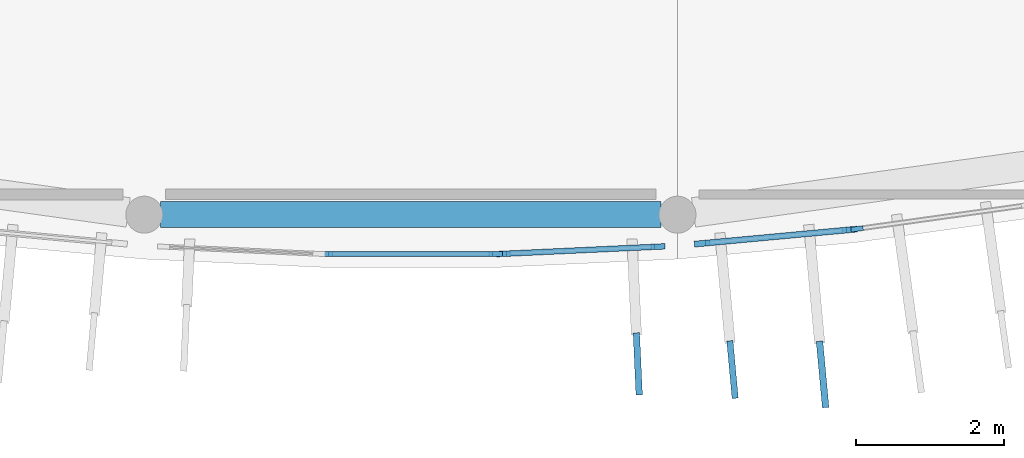
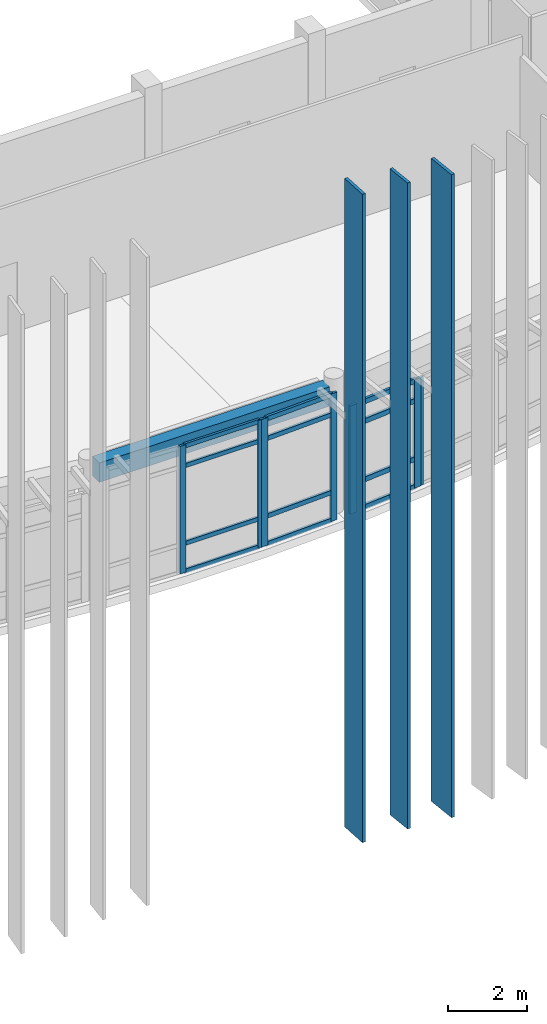
# One storey, part 7 of 47: 22 members, 1 beam, 4 elements without a shape of their own.
"""IFC4 building model written with IfcOpenShell, lengths in metres."""

from ifc_helpers import new_model, si_unit, direction, frame, origin, origin_2d, place, context, subcontext, project, spatial, rectangle, extrude, material, layer, layer_set, material_profile, profile_set, type_object, element, aggregate, save


model = new_model("IFC4")

# Units and contexts
model_context = context("Model", 3, precision=1e-05, world=origin(), true_north=direction((0.0, 1.0)))
body_context = subcontext(model_context, "Body", "Model", "MODEL_VIEW")
ifc_project = project(units=[si_unit("LENGTHUNIT", "METRE"), si_unit("AREAUNIT", "SQUARE_METRE"), si_unit("VOLUMEUNIT", "CUBIC_METRE"), si_unit("PLANEANGLEUNIT", "RADIAN"), si_unit("MASSUNIT", "GRAM", prefix="KILO")], contexts=[model_context])

# Site, building, storey
site_placement = place(None, origin())
site = spatial("IfcSite", under=ifc_project, at=site_placement, CompositionType="ELEMENT")
building_placement = place(site_placement, origin())
building = spatial("IfcBuilding", under=site, at=building_placement, Name="Brisavento Harbour Community Centre", CompositionType="ELEMENT")
storey_placement = place(building_placement, frame((0.0, 0.0, 8.699951171875)))
storey = spatial("IfcBuildingStorey", under=building, at=storey_placement, Name="L02", CompositionType="ELEMENT", Elevation=8.699951171875)

# Beam
ifc_material_1 = material(Name="Concrete C35/45", Category="concrete")
ifc_material_profile_1 = material_profile(ifc_material_1, rectangle(XDim=0.35009765625, YDim=0.60009765625, at=origin_2d()), Name="Concrete C35/45")
ifc_profile_set_1 = profile_set([ifc_material_profile_1], Name="Concrete C35/45")
beam_type = type_object("IfcBeamType", Name="BM-RC-350x600", PredefinedType="BEAM", material=ifc_profile_set_1)
beam_placement = place(storey_placement, frame((21.820068359375, 0.724853515625, 3.66015625), z_axis=(1.0, 0.0, 0.0), x_axis=(0.0, 1.0, 0.0)))
element("IfcBeam", 1, at=beam_placement, inside=storey, type_object=beam_type, Name="L02 primary girder X0544", PredefinedType="BEAM", context=body_context, shape_type="SweptSolid", body=[
    extrude(rectangle(XDim=0.35009765625, YDim=0.60009765625, at=origin_2d()), origin(), (0.0, 0.0, 1.0), 6.760009765625),
])

# Curtain wall, member
ifc_material_2 = material(Name="Marine-anodised aluminium AW-6063-T6", Category="aluminium")
ifc_layer_1 = layer(ifc_material_2, 0.179931640625, Name="Marine-anodised aluminium AW-6063-T6")
ifc_layer_set_1 = layer_set([ifc_layer_1], Name="Marine-anodised aluminium AW-6063-T6")
curtain_wall_type_1 = type_object("IfcCurtainWallType", Name="CW-SYS-21", PredefinedType="USERDEFINED", material=ifc_layer_set_1)
curtain_wall_1_placement = place(storey_placement, origin())
curtain_wall_1 = element("IfcCurtainWall", 2, at=curtain_wall_1_placement, inside=storey, type_object=curtain_wall_type_1, Name="L02 V1 unitised curtain wall 105", ObjectType="UNITISED CURTAIN WALL", PredefinedType="USERDEFINED")
ifc_material_profile_2 = material_profile(ifc_material_2, rectangle(XDim=0.06494140625, YDim=0.1650390625, at=origin_2d()), Name="Marine-anodised aluminium AW-6063-T6")
ifc_profile_set_2 = profile_set([ifc_material_profile_2], Name="Marine-anodised aluminium AW-6063-T6")
member_type_1 = type_object("IfcMemberType", Name="CWM-01", PredefinedType="MULLION", material=ifc_profile_set_2)
member_1_placement = place(storey_placement, frame((31.22509765625, 0.53271484375, 0.0), z_axis=(0.0, 0.0, 1.0), x_axis=(0.138476944024, -0.990365657711, 0.0)))
member_1 = element("IfcMember", 3, at=member_1_placement, type_object=member_type_1, Name="CW-21 mullion 2", PredefinedType="MULLION", context=body_context, shape_type="SweptSolid", body=[
    extrude(rectangle(XDim=0.06494140625, YDim=0.1650390625, at=origin_2d()), origin(), (0.0, 0.0, 1.0), 3.360107421875),
])
aggregate(curtain_wall_1, [member_1])

# Curtain wall, members
ifc_layer_2 = layer(ifc_material_2, 0.179931640625, Name="Marine-anodised aluminium AW-6063-T6")
ifc_layer_set_2 = layer_set([ifc_layer_2], Name="Marine-anodised aluminium AW-6063-T6")
curtain_wall_type_2 = type_object("IfcCurtainWallType", Name="CW-SYS-18", PredefinedType="USERDEFINED", material=ifc_layer_set_2)
curtain_wall_2_placement = place(storey_placement, origin())
curtain_wall_2 = element("IfcCurtainWall", 4, at=curtain_wall_2_placement, inside=storey, type_object=curtain_wall_type_2, Name="L02 V1 unitised curtain wall 102", ObjectType="UNITISED CURTAIN WALL", PredefinedType="USERDEFINED")
ifc_material_profile_3 = material_profile(ifc_material_2, rectangle(XDim=0.070068359375, YDim=0.179931640625, at=origin_2d()), Name="Marine-anodised aluminium AW-6063-T6")
ifc_profile_set_3 = profile_set([ifc_material_profile_3], Name="Marine-anodised aluminium AW-6063-T6")
member_type_2 = type_object("IfcMemberType", Name="CWM-02", PredefinedType="MULLION", material=ifc_profile_set_3)
member_2_placement = place(storey_placement, frame((26.346923828125, 0.19384765625, 0.0), z_axis=(0.0, 0.0, 1.0), x_axis=(0.0, -1.0, 0.0)))
member_2 = element("IfcMember", 5, at=member_2_placement, type_object=member_type_2, Name="CW-18 mullion 1", PredefinedType="MULLION", context=body_context, shape_type="SweptSolid", body=[
    extrude(rectangle(XDim=0.070068359375, YDim=0.179931640625, at=origin_2d()), origin(), (0.0, 0.0, 1.0), 3.9599609375),
])
member_3_placement = place(storey_placement, frame((24.052978515625, 0.19384765625, 0.0), z_axis=(0.0, 0.0, 1.0), x_axis=(0.0, -1.0, 0.0)))
member_3 = element("IfcMember", 6, at=member_3_placement, type_object=member_type_2, Name="CW-18 mullion 2", PredefinedType="MULLION", context=body_context, shape_type="SweptSolid", body=[
    extrude(rectangle(XDim=0.070068359375, YDim=0.179931640625, at=origin_2d()), origin(), (0.0, 0.0, 1.0), 3.9599609375),
])

ifc_layer_3 = layer(ifc_material_2, 0.179931640625, Name="Marine-anodised aluminium AW-6063-T6")
ifc_layer_set_3 = layer_set([ifc_layer_3], Name="Marine-anodised aluminium AW-6063-T6")
curtain_wall_type_3 = type_object("IfcCurtainWallType", Name="CW-SYS-19", PredefinedType="USERDEFINED", material=ifc_layer_set_3)
curtain_wall_3_placement = place(storey_placement, origin())
curtain_wall_3 = element("IfcCurtainWall", 7, at=curtain_wall_3_placement, inside=storey, type_object=curtain_wall_type_3, Name="L02 V1 unitised curtain wall 103", ObjectType="UNITISED CURTAIN WALL", PredefinedType="USERDEFINED")
ifc_material_profile_4 = material_profile(ifc_material_2, rectangle(XDim=0.074951171875, YDim=0.18994140625, at=origin_2d()), Name="Marine-anodised aluminium AW-6063-T6")
ifc_profile_set_4 = profile_set([ifc_material_profile_4], Name="Marine-anodised aluminium AW-6063-T6")
member_type_3 = type_object("IfcMemberType", Name="CWM-03", PredefinedType="MULLION", material=ifc_profile_set_4)
member_4_placement = place(storey_placement, frame((28.535888671875, 0.292724609375, 0.0), z_axis=(0.0, 0.0, 1.0), x_axis=(0.046167846582, -0.998933696469, 0.0)))
member_4 = element("IfcMember", 8, at=member_4_placement, type_object=member_type_3, Name="CW-19 mullion 1", PredefinedType="MULLION", context=body_context, shape_type="SweptSolid", body=[
    extrude(rectangle(XDim=0.074951171875, YDim=0.18994140625, at=origin_2d()), origin(), (0.0, 0.0, 1.0), 3.9599609375),
])
member_5_placement = place(storey_placement, frame((26.447265625, 0.1962890625, 0.0), z_axis=(0.0, 0.0, 1.0), x_axis=(0.046167846582, -0.998933696469, 0.0)))
member_5 = element("IfcMember", 9, at=member_5_placement, type_object=member_type_3, Name="CW-19 mullion 2", PredefinedType="MULLION", context=body_context, shape_type="SweptSolid", body=[
    extrude(rectangle(XDim=0.074951171875, YDim=0.18994140625, at=origin_2d()), origin(), (0.0, 0.0, 1.0), 3.9599609375),
])

ifc_layer_4 = layer(ifc_material_2, 0.179931640625, Name="Marine-anodised aluminium AW-6063-T6")
ifc_layer_set_4 = layer_set([ifc_layer_4], Name="Marine-anodised aluminium AW-6063-T6")
curtain_wall_type_4 = type_object("IfcCurtainWallType", Name="CW-SYS-20", PredefinedType="USERDEFINED", material=ifc_layer_set_4)
curtain_wall_4_placement = place(storey_placement, origin())
curtain_wall_4 = element("IfcCurtainWall", 10, at=curtain_wall_4_placement, inside=storey, type_object=curtain_wall_type_4, Name="L02 V1 unitised curtain wall 104", ObjectType="UNITISED CURTAIN WALL", PredefinedType="USERDEFINED")
ifc_material_profile_5 = material_profile(ifc_material_2, rectangle(XDim=0.080078125, YDim=0.2099609375, at=origin_2d()), Name="Marine-anodised aluminium AW-6063-T6")
ifc_profile_set_5 = profile_set([ifc_material_profile_5], Name="Marine-anodised aluminium AW-6063-T6")
member_type_4 = type_object("IfcMemberType", Name="CWM-04", PredefinedType="MULLION", material=ifc_profile_set_5)
member_6_placement = place(storey_placement, frame((31.125732421875, 0.52099609375, 0.0), z_axis=(0.0, 0.0, 1.0), x_axis=(0.092260886159, -0.99573486877, 0.0)))
member_6 = element("IfcMember", 11, at=member_6_placement, type_object=member_type_4, Name="CW-20 mullion 1", PredefinedType="MULLION", context=body_context, shape_type="SweptSolid", body=[
    extrude(rectangle(XDim=0.080078125, YDim=0.2099609375, at=origin_2d()), origin(), (0.0, 0.0, 1.0), 3.360107421875),
])
member_7_placement = place(storey_placement, frame((29.13427734375, 0.336669921875, 0.0), z_axis=(0.0, 0.0, 1.0), x_axis=(0.092260886159, -0.99573486877, 0.0)))
member_7 = element("IfcMember", 12, at=member_7_placement, type_object=member_type_4, Name="CW-20 mullion 2", PredefinedType="MULLION", context=body_context, shape_type="SweptSolid", body=[
    extrude(rectangle(XDim=0.080078125, YDim=0.2099609375, at=origin_2d()), origin(), (0.0, 0.0, 1.0), 3.360107421875),
])

# Member
ifc_material_profile_6 = material_profile(ifc_material_2, rectangle(XDim=0.070068359375, YDim=0.132080078125, at=origin_2d()), Name="Marine-anodised aluminium AW-6063-T6")
ifc_profile_set_6 = profile_set([ifc_material_profile_6], Name="Marine-anodised aluminium AW-6063-T6")
member_type_5 = type_object("IfcMemberType", Name="CWT-02", PredefinedType="USERDEFINED", material=ifc_profile_set_6)
member_8_placement = place(storey_placement, frame((26.31201171875, 0.19384765625, 0.03515625), z_axis=(-1.0, 0.0, 0.0), x_axis=(0.0, -1.0, 0.0)))
member_8 = element("IfcMember", 13, at=member_8_placement, type_object=member_type_5, Name="CW-18 transom 1.1", ObjectType="TRANSOM", PredefinedType="USERDEFINED", context=body_context, shape_type="SweptSolid", body=[
    extrude(rectangle(XDim=0.070068359375, YDim=0.132080078125, at=origin_2d()), origin(), (0.0, 0.0, 1.0), 2.22412109375),
])

member_9_placement = place(storey_placement, frame((26.31201171875, 0.19384765625, 0.900146484375), z_axis=(-1.0, 0.0, 0.0), x_axis=(0.0, -1.0, 0.0)))
member_9 = element("IfcMember", 14, at=member_9_placement, type_object=member_type_5, Name="CW-18 transom 1.2", ObjectType="TRANSOM", PredefinedType="USERDEFINED", context=body_context, shape_type="SweptSolid", body=[
    extrude(rectangle(XDim=0.070068359375, YDim=0.132080078125, at=origin_2d()), origin(), (0.0, 0.0, 1.0), 2.22412109375),
])

member_10_placement = place(storey_placement, frame((26.31201171875, 0.19384765625, 3.31005859375), z_axis=(-1.0, 0.0, 0.0), x_axis=(0.0, -1.0, 0.0)))
member_10 = element("IfcMember", 15, at=member_10_placement, type_object=member_type_5, Name="CW-18 transom 1.3", ObjectType="TRANSOM", PredefinedType="USERDEFINED", context=body_context, shape_type="SweptSolid", body=[
    extrude(rectangle(XDim=0.070068359375, YDim=0.132080078125, at=origin_2d()), origin(), (0.0, 0.0, 1.0), 2.22412109375),
])

member_11_placement = place(storey_placement, frame((26.31201171875, 0.19384765625, 3.925048828125), z_axis=(-1.0, 0.0, 0.0), x_axis=(0.0, -1.0, 0.0)))
member_11 = element("IfcMember", 16, at=member_11_placement, type_object=member_type_5, Name="CW-18 transom 1.4", ObjectType="TRANSOM", PredefinedType="USERDEFINED", context=body_context, shape_type="SweptSolid", body=[
    extrude(rectangle(XDim=0.070068359375, YDim=0.132080078125, at=origin_2d()), origin(), (0.0, 0.0, 1.0), 2.22412109375),
])

aggregate(curtain_wall_2, [member_2, member_3, member_8, member_9, member_10, member_11])

ifc_material_profile_7 = material_profile(ifc_material_2, rectangle(XDim=0.074951171875, YDim=0.139892578125, at=origin_2d()), Name="Marine-anodised aluminium AW-6063-T6")
ifc_profile_set_7 = profile_set([ifc_material_profile_7], Name="Marine-anodised aluminium AW-6063-T6")
member_type_6 = type_object("IfcMemberType", Name="CWT-03", PredefinedType="USERDEFINED", material=ifc_profile_set_7)
member_12_placement = place(storey_placement, frame((28.49853515625, 0.291015625, 0.03759765625), z_axis=(-0.99893506482, -0.046138230052, 0.0), x_axis=(0.046138230052, -0.99893506482, 0.0)))
member_12 = element("IfcMember", 17, at=member_12_placement, type_object=member_type_6, Name="CW-19 transom 1.1", ObjectType="TRANSOM", PredefinedType="USERDEFINED", context=body_context, shape_type="SweptSolid", body=[
    extrude(rectangle(XDim=0.074951171875, YDim=0.139892578125, at=origin_2d()), origin(), (0.0, 0.0, 1.0), 2.01611328125),
])

member_13_placement = place(storey_placement, frame((28.49853515625, 0.291015625, 0.900146484375), z_axis=(-0.99893506482, -0.046138230052, 0.0), x_axis=(0.046138230052, -0.99893506482, 0.0)))
member_13 = element("IfcMember", 18, at=member_13_placement, type_object=member_type_6, Name="CW-19 transom 1.2", ObjectType="TRANSOM", PredefinedType="USERDEFINED", context=body_context, shape_type="SweptSolid", body=[
    extrude(rectangle(XDim=0.074951171875, YDim=0.139892578125, at=origin_2d()), origin(), (0.0, 0.0, 1.0), 2.01611328125),
])

member_14_placement = place(storey_placement, frame((28.49853515625, 0.291015625, 3.31005859375), z_axis=(-0.99893506482, -0.046138230052, 0.0), x_axis=(0.046138230052, -0.99893506482, 0.0)))
member_14 = element("IfcMember", 19, at=member_14_placement, type_object=member_type_6, Name="CW-19 transom 1.3", ObjectType="TRANSOM", PredefinedType="USERDEFINED", context=body_context, shape_type="SweptSolid", body=[
    extrude(rectangle(XDim=0.074951171875, YDim=0.139892578125, at=origin_2d()), origin(), (0.0, 0.0, 1.0), 2.01611328125),
])

member_15_placement = place(storey_placement, frame((28.49853515625, 0.291015625, 3.922607421875), z_axis=(-0.99893506482, -0.046138230052, 0.0), x_axis=(0.046138230052, -0.99893506482, 0.0)))
member_15 = element("IfcMember", 20, at=member_15_placement, type_object=member_type_6, Name="CW-19 transom 1.4", ObjectType="TRANSOM", PredefinedType="USERDEFINED", context=body_context, shape_type="SweptSolid", body=[
    extrude(rectangle(XDim=0.074951171875, YDim=0.139892578125, at=origin_2d()), origin(), (0.0, 0.0, 1.0), 2.01611328125),
])

aggregate(curtain_wall_3, [member_4, member_5, member_12, member_13, member_14, member_15])

ifc_material_profile_8 = material_profile(ifc_material_2, rectangle(XDim=0.080078125, YDim=0.155029296875, at=origin_2d()), Name="Marine-anodised aluminium AW-6063-T6")
ifc_profile_set_8 = profile_set([ifc_material_profile_8], Name="Marine-anodised aluminium AW-6063-T6")
member_type_7 = type_object("IfcMemberType", Name="CWT-04", PredefinedType="USERDEFINED", material=ifc_profile_set_8)
member_16_placement = place(storey_placement, frame((31.0859375, 0.517333984375, 0.0400390625), z_axis=(-0.99574175486, -0.092186537131, 0.0), x_axis=(0.092186537131, -0.99574175486, 0.0)))
member_16 = element("IfcMember", 21, at=member_16_placement, type_object=member_type_7, Name="CW-20 transom 1.1", ObjectType="TRANSOM", PredefinedType="USERDEFINED", context=body_context, shape_type="SweptSolid", body=[
    extrude(rectangle(XDim=0.080078125, YDim=0.155029296875, at=origin_2d()), origin(), (0.0, 0.0, 1.0), 1.919921875),
])

member_17_placement = place(storey_placement, frame((31.0859375, 0.517333984375, 0.900146484375), z_axis=(-0.99574175486, -0.092186537131, 0.0), x_axis=(0.092186537131, -0.99574175486, 0.0)))
member_17 = element("IfcMember", 22, at=member_17_placement, type_object=member_type_7, Name="CW-20 transom 1.2", ObjectType="TRANSOM", PredefinedType="USERDEFINED", context=body_context, shape_type="SweptSolid", body=[
    extrude(rectangle(XDim=0.080078125, YDim=0.155029296875, at=origin_2d()), origin(), (0.0, 0.0, 1.0), 1.919921875),
])

member_18_placement = place(storey_placement, frame((31.0859375, 0.517333984375, 2.7099609375), z_axis=(-0.99574175486, -0.092186537131, 0.0), x_axis=(0.092186537131, -0.99574175486, 0.0)))
member_18 = element("IfcMember", 23, at=member_18_placement, type_object=member_type_7, Name="CW-20 transom 1.3", ObjectType="TRANSOM", PredefinedType="USERDEFINED", context=body_context, shape_type="SweptSolid", body=[
    extrude(rectangle(XDim=0.080078125, YDim=0.155029296875, at=origin_2d()), origin(), (0.0, 0.0, 1.0), 1.919921875),
])

member_19_placement = place(storey_placement, frame((31.0859375, 0.517333984375, 3.320068359375), z_axis=(-0.99574175486, -0.092186537131, 0.0), x_axis=(0.092186537131, -0.99574175486, 0.0)))
member_19 = element("IfcMember", 24, at=member_19_placement, type_object=member_type_7, Name="CW-20 transom 1.4", ObjectType="TRANSOM", PredefinedType="USERDEFINED", context=body_context, shape_type="SweptSolid", body=[
    extrude(rectangle(XDim=0.080078125, YDim=0.155029296875, at=origin_2d()), origin(), (0.0, 0.0, 1.0), 1.919921875),
])

aggregate(curtain_wall_4, [member_6, member_7, member_16, member_17, member_18, member_19])

# Members
ifc_material_3 = material(Name="Off-white marine-anodised aluminium AW-6063-T6", Category="aluminium")
ifc_material_profile_9 = material_profile(ifc_material_3, rectangle(XDim=0.090087890625, YDim=0.89990234375, at=origin_2d()), Name="Off-white marine-anodised aluminium AW-6063-T6")
ifc_profile_set_9 = profile_set([ifc_material_profile_9], Name="Off-white marine-anodised aluminium AW-6063-T6")
member_type_8 = type_object("IfcMemberType", Name="FIN-STORM-1", PredefinedType="USERDEFINED", material=ifc_profile_set_9)
member_20_placement = place(storey_placement, frame((30.759765625, -1.43212890625, -8.699951171875), z_axis=(0.0, 0.0, 1.0), x_axis=(-0.99572792192, -0.092335830041, 0.0)))
element("IfcMember", 25, at=member_20_placement, inside=storey, type_object=member_type_8, Name="Standing-clear white storm fin 022", ObjectType="FIN", PredefinedType="USERDEFINED", context=body_context, shape_type="SweptSolid", body=[
    extrude(rectangle(XDim=0.090087890625, YDim=0.89990234375, at=origin_2d()), origin(), (0.0, 0.0, 1.0), 19.953125),
])
ifc_material_profile_10 = material_profile(ifc_material_3, rectangle(XDim=0.087890625, YDim=0.840087890625, at=origin_2d()), Name="Off-white marine-anodised aluminium AW-6063-T6")
ifc_profile_set_10 = profile_set([ifc_material_profile_10], Name="Off-white marine-anodised aluminium AW-6063-T6")
member_type_9 = type_object("IfcMemberType", Name="FIN-STORM-2", PredefinedType="USERDEFINED", material=ifc_profile_set_10)
member_21_placement = place(storey_placement, frame((28.26416015625, -1.289794921875, -8.699951171875), z_axis=(0.0, 0.0, 1.0), x_axis=(-0.9989338281, -0.0461649984, 0.0)))
element("IfcMember", 26, at=member_21_placement, inside=storey, type_object=member_type_9, Name="Standing-clear white storm fin 020", ObjectType="FIN", PredefinedType="USERDEFINED", context=body_context, shape_type="SweptSolid", body=[
    extrude(rectangle(XDim=0.087890625, YDim=0.840087890625, at=origin_2d()), origin(), (0.0, 0.0, 1.0), 20.123291015625),
])
ifc_material_profile_11 = material_profile(ifc_material_3, rectangle(XDim=0.0849609375, YDim=0.780029296875, at=origin_2d()), Name="Off-white marine-anodised aluminium AW-6063-T6")
ifc_profile_set_11 = profile_set([ifc_material_profile_11], Name="Off-white marine-anodised aluminium AW-6063-T6")
member_type_10 = type_object("IfcMemberType", Name="FIN-STORM-3", PredefinedType="USERDEFINED", material=ifc_profile_set_11)
member_22_placement = place(storey_placement, frame((29.54345703125, -1.366455078125, -8.699951171875), z_axis=(0.0, 0.0, 1.0), x_axis=(-0.99572792192, -0.092335830041, 0.0)))
element("IfcMember", 27, at=member_22_placement, inside=storey, type_object=member_type_10, Name="Standing-clear white storm fin 021", ObjectType="FIN", PredefinedType="USERDEFINED", context=body_context, shape_type="SweptSolid", body=[
    extrude(rectangle(XDim=0.0849609375, YDim=0.780029296875, at=origin_2d()), origin(), (0.0, 0.0, 1.0), 20.050048828125),
])

save(model, "model.ifc")
